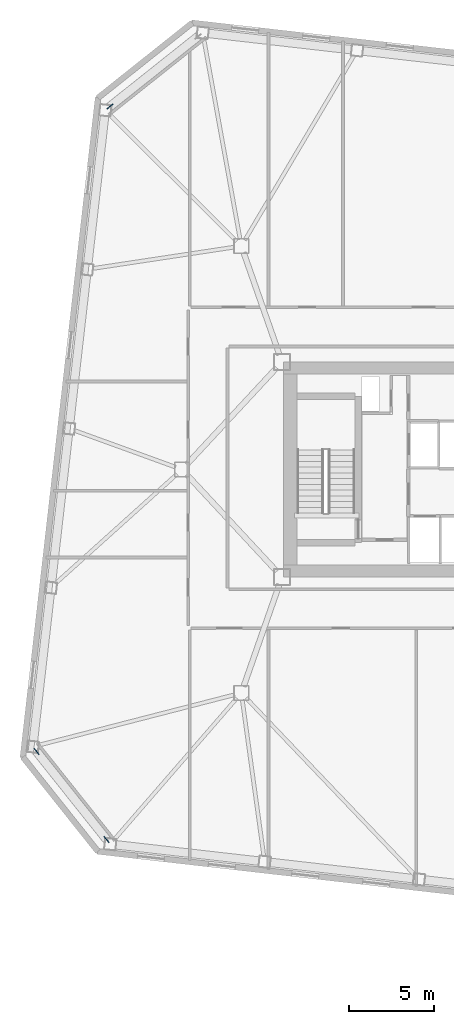
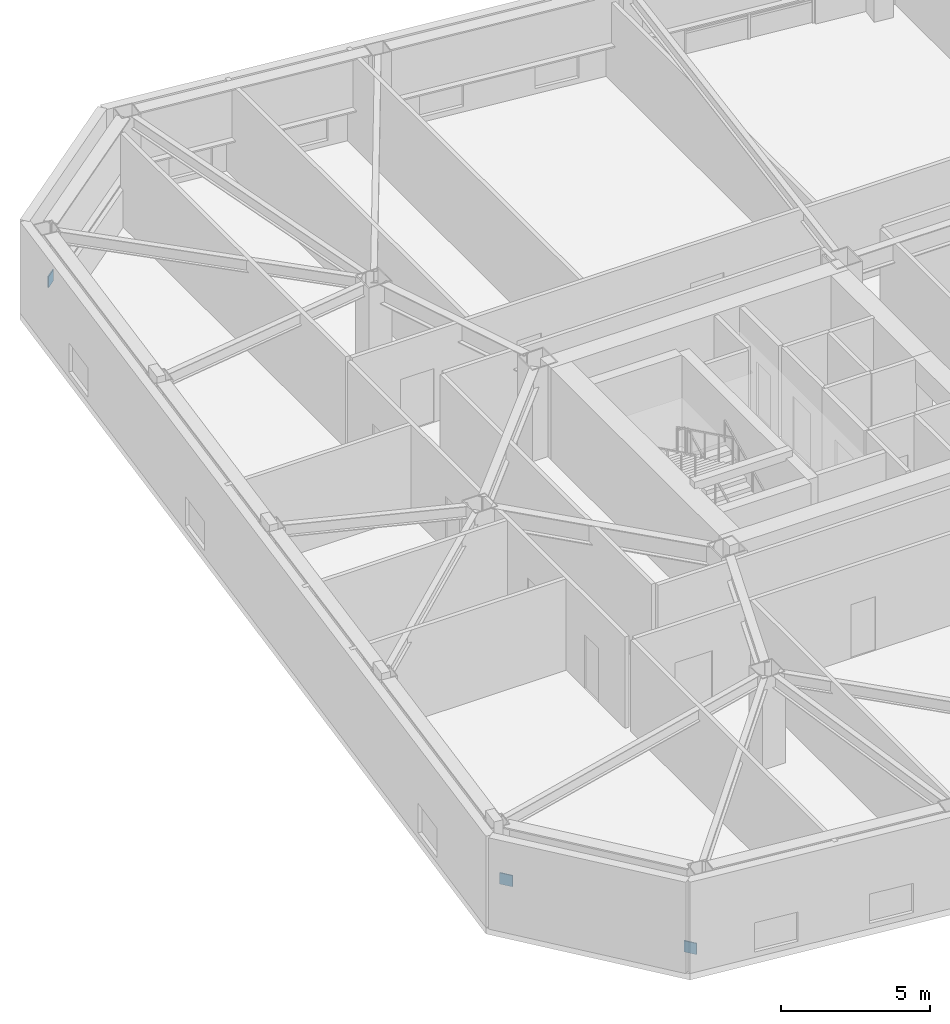
# One storey, part 16 of 21: 3 discrete accessories.
"""IFC4 building model written with IfcOpenShell, lengths in metres."""

import ifcopenshell
import ifcopenshell.guid

model = None  # the IFC model being written
_history = None  # IfcOwnerHistory: only IFC2X3 demands one
_inside = {}  # id of a spatial element -> (the spatial element, [elements in it])
_under = {}  # id of a project, library or spatial element -> (it, [spatial elements below it])
_declared = {}  # id of a project -> (the project, [libraries it declares])
_typed = {}  # id of a type object -> (the type object, [elements of that type])
_made_of = {}  # id of a material, layer set ... -> (it, [elements and type objects made of it])


def new_model(schema):
    """Start an empty IFC model of exactly this schema.

    Asked for "IFC4X3", IfcOpenShell would pick the latest addendum, in which some entities
    have other attributes; the version numbers below select the first issue.
    IFC2X3 requires an IfcOwnerHistory on every rooted entity: one is made here for all.
    """
    global model, _history
    if schema == "IFC4X3":
        model = ifcopenshell.file(schema_version=(4, 3, 0, 0))
    else:
        model = ifcopenshell.file(schema=schema)
    _inside.clear()
    _under.clear()
    _declared.clear()
    _typed.clear()
    _made_of.clear()
    _history = None
    if model.schema == "IFC2X3":
        org = make("IfcOrganization", Name="unknown")
        user = make(
            "IfcPersonAndOrganization",
            ThePerson=make("IfcPerson", FamilyName="unknown"),
            TheOrganization=org,
        )
        app = make(
            "IfcApplication",
            ApplicationDeveloper=org,
            Version="unknown",
            ApplicationFullName="unknown",
            ApplicationIdentifier="unknown",
        )
        _history = make(
            "IfcOwnerHistory",
            OwningUser=user,
            OwningApplication=app,
            ChangeAction="ADDED",
            CreationDate=0,
        )
    return model


def make(cls, **values):
    """One entity of the class cls with the attributes given. An attribute that is None is left unset."""
    return model.create_entity(
        cls, **{name: value for name, value in values.items() if value is not None}
    )


def rooted(cls, **values):
    """An entity with a GlobalId (a new one), such as an element, a storey or a relation."""
    return make(cls, GlobalId=ifcopenshell.guid.new(), OwnerHistory=_history, **values)


def si_unit(unit_type, name, prefix=None):
    """IfcSIUnit, for example si_unit("LENGTHUNIT", "METRE", prefix="MILLI")."""
    return make("IfcSIUnit", UnitType=unit_type, Prefix=prefix, Name=name)


def assignment(units):
    """IfcUnitAssignment: the units of a project."""
    return None if units is None else make("IfcUnitAssignment", Units=units)


def point(xyz):
    """IfcCartesianPoint."""
    return None if xyz is None else make("IfcCartesianPoint", Coordinates=xyz)


def direction(xyz):
    """IfcDirection."""
    return None if xyz is None else make("IfcDirection", DirectionRatios=xyz)


def frame(location, z_axis=None, x_axis=None):
    """IfcAxis2Placement3D, a coordinate frame: its origin and axes. An axis left out is left unset."""
    return make(
        "IfcAxis2Placement3D",
        Location=point(location),
        Axis=direction(z_axis),
        RefDirection=direction(x_axis),
    )


def frame_2d(location, x_axis=None):
    """IfcAxis2Placement2D, a coordinate frame in the plane: its origin and x axis."""
    return make(
        "IfcAxis2Placement2D", Location=point(location), RefDirection=direction(x_axis)
    )


def origin():
    """The frame at (0, 0, 0) with its axes left unset."""
    return frame((0.0, 0.0, 0.0))


def origin_2d():
    """The frame at (0, 0) in the plane with its x axis left unset."""
    return frame_2d((0.0, 0.0))


def place(relative_to, where):
    """IfcLocalPlacement: puts the frame where relative to a parent placement (None: the world)."""
    return make(
        "IfcLocalPlacement", PlacementRelTo=relative_to, RelativePlacement=where
    )


def context(
    kind, dimensions, precision=None, world=None, true_north=None, identifier=None
):
    """IfcGeometricRepresentationContext, for example the 3D "Model" context."""
    return make(
        "IfcGeometricRepresentationContext",
        ContextIdentifier=identifier,
        ContextType=kind,
        CoordinateSpaceDimension=dimensions,
        Precision=precision,
        WorldCoordinateSystem=world,
        TrueNorth=true_north,
    )


def subcontext(parent, identifier, kind, view, scale=None):
    """IfcGeometricRepresentationSubContext, for example "Body" below "Model"."""
    return make(
        "IfcGeometricRepresentationSubContext",
        ContextIdentifier=identifier,
        ContextType=kind,
        ParentContext=parent,
        TargetScale=scale,
        TargetView=view,
    )


def project(units=None, contexts=None):
    """IfcProject with its units and contexts."""
    return rooted(
        "IfcProject",
        Name="project",
        RepresentationContexts=contexts,
        UnitsInContext=assignment(units),
    )


def spatial(cls, under=None, at=None, **own):
    """A site, building, storey or space (cls), placed at a placement, below another one or the project."""
    s = rooted(cls, ObjectPlacement=at, **own)
    if under is not None:
        _under.setdefault(under.id(), (under, []))[1].append(s)
    return s


def profile(cls, at=None, kind="AREA", **sizes):
    """A parametric profile (cls). Its sizes go by their IFC names, for example OverallWidth=200.0."""
    return make(cls, ProfileType=kind, Position=at, **sizes)


def rectangle(**sizes):
    """IfcRectangleProfileDef."""
    return profile("IfcRectangleProfileDef", **sizes)


def extrude(swept, where, along, depth):
    """IfcExtrudedAreaSolid: the profile swept, set in the frame where, extruded along a direction by depth."""
    return make(
        "IfcExtrudedAreaSolid",
        SweptArea=swept,
        Position=where,
        ExtrudedDirection=direction(along),
        Depth=depth,
    )


def shape(context_of_items, identifier, shape_type, items):
    """IfcShapeRepresentation: the items that make up one representation, for example the "Body"."""
    return make(
        "IfcShapeRepresentation",
        ContextOfItems=context_of_items,
        RepresentationIdentifier=identifier,
        RepresentationType=shape_type,
        Items=items,
    )


def material(Name=None, Category=None):
    """IfcMaterial."""
    return make("IfcMaterial", Name=Name, Category=Category)


def made_of(thing, what):
    """Note that an element or type object is made of a material, layer set ...; save() writes the relation."""
    if what is not None:
        _made_of.setdefault(what.id(), (what, []))[1].append(thing)
    return thing


def type_object(cls, material=None, **own):
    """A type object (cls), such as IfcWallType, which elements share."""
    return made_of(rooted(cls, **own), material)


def element(
    cls,
    number,
    at=None,
    inside=None,
    cuts=None,
    type_object=None,
    material=None,
    context=None,
    identifier="Body",
    shape_type=None,
    held_by="IfcProductDefinitionShape",
    body=None,
    shapes=None,
    **own,
):
    """One element of the class cls, such as IfcWall. Its Tag is "e" and its number.

    at: its placement. inside: the storey or other place that contains it. cuts: it is an
    opening in that element (IfcRelVoidsElement). A single representation is given by context,
    identifier, shape_type and body (its items); several are given by shapes. held_by: the class
    of the entity that holds the representations. save() writes the other relations.
    """
    e = rooted(cls, Tag="e%d" % number, ObjectPlacement=at, **own)
    if body is not None:
        shapes = [shape(context, identifier, shape_type, body)]
    if shapes is not None:
        e.Representation = make(held_by, Representations=shapes)
    if inside is not None:
        _inside.setdefault(inside.id(), (inside, []))[1].append(e)
    if cuts is not None:
        rooted(
            "IfcRelVoidsElement", RelatingBuildingElement=cuts, RelatedOpeningElement=e
        )
    if type_object is not None:
        _typed.setdefault(type_object.id(), (type_object, []))[1].append(e)
    return made_of(e, material)


def aggregate(whole, parts):
    """IfcRelAggregates: a whole, such as a stair, and the parts it consists of."""
    return rooted("IfcRelAggregates", RelatingObject=whole, RelatedObjects=parts)


def save(model, path):
    """Write the relations noted so far, then the file.

    IfcRelAggregates (storeys below a building ...), IfcRelContainedInSpatialStructure (elements
    in a storey), IfcRelDefinesByType, IfcRelAssociatesMaterial and IfcRelDeclares: one each for
    every whole, place, type object, material and project.
    """
    for whole, parts in _under.values():
        aggregate(whole, parts)
    for where, things in _inside.values():
        rooted(
            "IfcRelContainedInSpatialStructure",
            RelatedElements=things,
            RelatingStructure=where,
        )
    for kind, things in _typed.values():
        rooted("IfcRelDefinesByType", RelatedObjects=things, RelatingType=kind)
    for what, things in _made_of.values():
        rooted("IfcRelAssociatesMaterial", RelatedObjects=things, RelatingMaterial=what)
    for by, libraries in _declared.values():
        rooted("IfcRelDeclares", RelatingContext=by, RelatedDefinitions=libraries)
    model.write(path)


model = new_model("IFC4")

# Units and contexts
model_context = context("Model", 3, precision=1e-05, world=origin(), true_north=direction((0.0, 1.0)))
body_context = subcontext(model_context, "Body", "Model", "MODEL_VIEW")
ifc_project = project(units=[si_unit("LENGTHUNIT", "METRE"), si_unit("AREAUNIT", "SQUARE_METRE"), si_unit("VOLUMEUNIT", "CUBIC_METRE"), si_unit("PLANEANGLEUNIT", "RADIAN"), si_unit("MASSUNIT", "GRAM", prefix="KILO")], contexts=[model_context])

# Site, building, storey
site_placement = place(None, origin())
site = spatial("IfcSite", under=ifc_project, at=site_placement, CompositionType="ELEMENT")
building_placement = place(site_placement, origin())
building = spatial("IfcBuilding", under=site, at=building_placement, Name="Tavrogorsk Clinical Tower", CompositionType="ELEMENT")
storey_placement = place(building_placement, frame((0.0, 0.0, 109.39990234375)))
storey = spatial("IfcBuildingStorey", under=building, at=storey_placement, Name="L24", CompositionType="ELEMENT", Elevation=109.39990234375)

# Discrete accessories
ifc_material = material(Name="Structural steel S440", Category="steel")
discrete_accessory_type = type_object("IfcDiscreteAccessoryType", Name="GussetPlateBracket_25", PredefinedType="BRACKET", material=ifc_material)
for number, where, z_axis, x_axis, name in (
    (1, (-32.26171875, 21.443115234375, 1.202880859375), (0.0, 0.0, 1.0), (-0.782608156852, -0.622514636638, 0.0), "L24 Brace Gusset Plate EXOCRN-L24-3-B"),
    (2, (-32.464111328125, -21.852294921875, 0.127197265625), (0.0, 0.0, 1.0), (-0.622514636638, 0.782608156852, 0.0), "L24 Brace Gusset Plate EXOCRN-L24-4-A"),
    (3, (-36.601806640625, -16.650146484375, 1.202880859375), (0.0, 0.0, 1.0), (-0.622514636638, 0.782608156852, 0.0), "L24 Brace Gusset Plate EXOCRN-L24-4-B"),
):
    element("IfcDiscreteAccessory", number, at=place(storey_placement, frame(where, z_axis=z_axis, x_axis=x_axis)), inside=storey, type_object=discrete_accessory_type, Name=name, PredefinedType="BRACKET", context=body_context, shape_type="SweptSolid", body=[
        extrude(rectangle(XDim=0.4599609375, YDim=0.0400390625, at=origin_2d()), origin(), (0.0, 0.0, 1.0), 0.4599609375),
    ])

save(model, "model.ifc")
